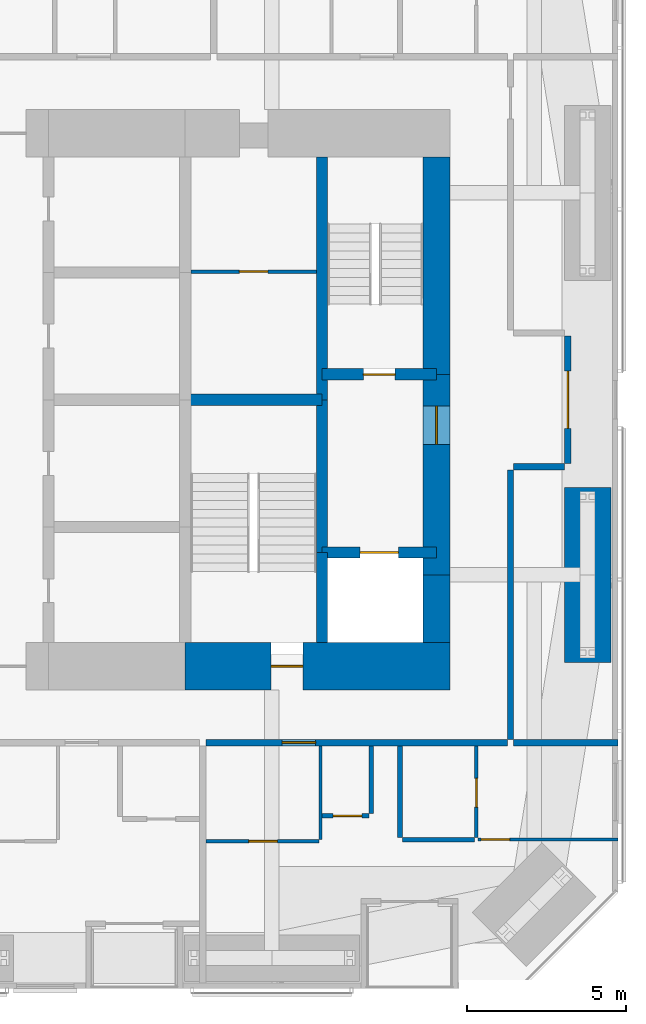
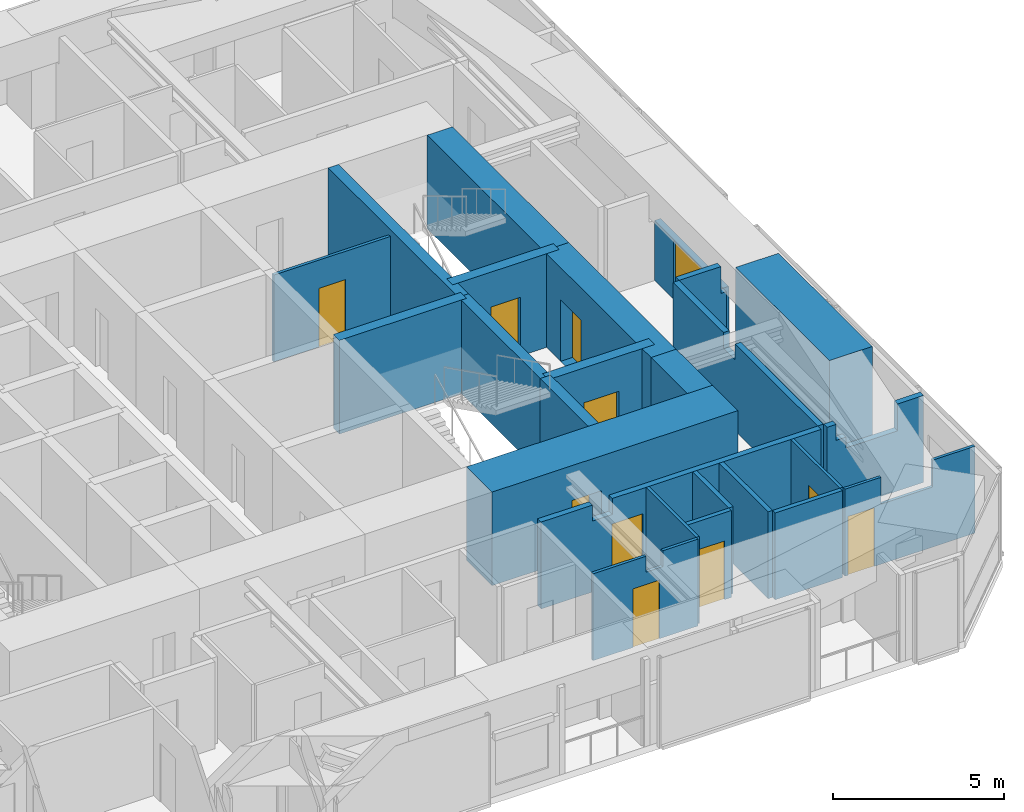
# One storey, part 21 of 25: 25 walls, 11 doors, 11 openings.
"""IFC4 building model written with IfcOpenShell, lengths in metres."""

from ifc_helpers import new_model, si_unit, direction, frame, frame_2d, origin, place, context, subcontext, project, spatial, polyline, rectangle, outline, extrude, material, layer, layer_set, constituent, constituent_set, type_object, element, fill, save


model = new_model("IFC4")

# Units and contexts
model_context = context("Model", 3, precision=1e-05, world=origin(), true_north=direction((0.0, 1.0)))
body_context = subcontext(model_context, "Body", "Model", "MODEL_VIEW")
ifc_project = project(units=[si_unit("LENGTHUNIT", "METRE"), si_unit("AREAUNIT", "SQUARE_METRE"), si_unit("VOLUMEUNIT", "CUBIC_METRE"), si_unit("PLANEANGLEUNIT", "RADIAN"), si_unit("MASSUNIT", "GRAM", prefix="KILO")], contexts=[model_context])

# Site, building, storey
site_placement = place(None, origin())
site = spatial("IfcSite", under=ifc_project, at=site_placement, CompositionType="ELEMENT")
building_placement = place(site_placement, origin())
building = spatial("IfcBuilding", under=site, at=building_placement, Name="Jalousie Tower", CompositionType="ELEMENT")
storey_placement = place(building_placement, frame((0.0, 0.0, 101.5)))
storey = spatial("IfcBuildingStorey", under=building, at=storey_placement, Name="L27", CompositionType="ELEMENT", Elevation=101.5)

# Walls
ifc_material_1 = material(Name="Concrete block ASTM C90", Category="concrete")
ifc_constituent_1 = constituent(ifc_material_1, Name="Body")
ifc_material_2 = material(Name="Render")
ifc_constituent_2 = constituent(ifc_material_2, Name="Finish")
ifc_constituent_set_1 = constituent_set(constituents=[ifc_constituent_1, ifc_constituent_2])
wall_type_1 = type_object("IfcWallType", Name="BATHROOM WALL 150", PredefinedType="PLUMBINGWALL", material=ifc_constituent_set_1)
wall_1_placement = place(storey_placement, frame((42.72509765625, 4.67578125, 0.0), z_axis=(0.0, 0.0, 1.0), x_axis=(1.0, 0.0, 0.0)))
element("IfcWall", 1, at=wall_1_placement, inside=storey, type_object=wall_type_1, Name="Bathroom Wall 150 L27", PredefinedType="PLUMBINGWALL", context=body_context, shape_type="SweptSolid", body=[
    extrude(rectangle(XDim=2.27490234375, YDim=0.14990234375, at=frame_2d((1.137451171875, 0.0))), origin(), (0.0, 0.0, 1.0), 3.110107421875),
])
wall_2_placement = place(storey_placement, frame((42.64990234375, 4.7509765625, 0.0), z_axis=(0.0, 0.0, 1.0), x_axis=(0.0, 1.0, 0.0)))
element("IfcWall", 2, at=wall_2_placement, inside=storey, type_object=wall_type_1, Name="Bathroom Wall 150 L27", PredefinedType="PLUMBINGWALL", context=body_context, shape_type="SweptSolid", body=[
    extrude(rectangle(XDim=2.8740234375, YDim=0.14990234375, at=frame_2d((1.43701171875, 0.0))), origin(), (0.0, 0.0, 1.0), 3.110107421875),
])

# Wall, opening, door
wall_3_placement = place(storey_placement, frame((40.199951171875, 5.425048828125, 0.0), z_axis=(0.0, 0.0, 1.0), x_axis=(1.0, 0.0, 0.0)))
wall_3 = element("IfcWall", 3, at=wall_3_placement, inside=storey, type_object=wall_type_1, Name="Bathroom Wall 150 L27", PredefinedType="PLUMBINGWALL", context=body_context, shape_type="SweptSolid", body=[
    extrude(rectangle(XDim=1.47509765625, YDim=0.14990234375, at=frame_2d((0.737548828125, 0.0))), origin(), (0.0, 0.0, 1.0), 3.110107421875),
])
opening_1_placement = place(wall_3_placement, frame((0.35009765625, 0.0, 0.0)))
opening_1 = element("IfcOpeningElement", 4, at=opening_1_placement, cuts=wall_3, Name="Opening D7", PredefinedType="OPENING", context=body_context, shape_type="SweptSolid", body=[
    extrude(rectangle(XDim=0.89990234375, YDim=2.10009765625, at=frame_2d((0.449951171875, 1.050048828125))), frame((0.0, 0.0849609375, 0.0), z_axis=(0.0, -1.0, 0.0), x_axis=(1.0, 0.0, 0.0)), (0.0, 0.0, 1.0), 0.169921875),
])
ifc_material_3 = material(Name="Timber door", Category="wood")
door_type_1 = type_object("IfcDoorType", Name="INTERNAL DOOR 900", OperationType="SINGLE_SWING_LEFT", PredefinedType="DOOR", material=ifc_material_3)
door_1_placement = place(opening_1_placement, origin())
door_1 = element("IfcDoor", 5, at=door_1_placement, inside=storey, type_object=door_type_1, Name="Apartment 2703 guest WC door", OperationType="SINGLE_SWING_RIGHT", OverallHeight=2.10009765625, OverallWidth=0.89990234375, PredefinedType="DOOR", context=body_context, shape_type="SweptSolid", body=[
    extrude(rectangle(XDim=0.89990234375, YDim=2.10009765625, at=frame_2d((0.449951171875, 1.050048828125))), frame((0.0, 0.02490234375, 0.0), z_axis=(0.0, -1.0, 0.0), x_axis=(1.0, 0.0, 0.0)), (0.0, 0.0, 1.0), 0.050048828125),
])
fill(opening_1, door_1)

# Wall
wall_4_placement = place(storey_placement, frame((41.75, 5.5, 0.0), z_axis=(0.0, 0.0, 1.0), x_axis=(0.0, 1.0, 0.0)))
element("IfcWall", 6, at=wall_4_placement, inside=storey, type_object=wall_type_1, Name="Bathroom Wall 150 L27", PredefinedType="PLUMBINGWALL", context=body_context, shape_type="SweptSolid", body=[
    extrude(rectangle(XDim=2.125, YDim=0.14990234375, at=frame_2d((1.0625, 0.0))), origin(), (0.0, 0.0, 1.0), 3.110107421875),
])

# Wall, opening, door
ifc_material_4 = material(Name="Concrete f'c 120 MPa", Category="concrete")
ifc_layer_1 = layer(ifc_material_4, 1.5)
ifc_layer_set_1 = layer_set([ifc_layer_1], Name="Concrete f'c 120 MPa")
wall_type_2 = type_object("IfcWallType", Name="CORE WALL 1500", PredefinedType="SHEAR", material=ifc_layer_set_1)
wall_5_placement = place(storey_placement, frame((35.89990234375, 10.125, 0.0), z_axis=(0.0, 0.0, 1.0), x_axis=(1.0, 0.0, 0.0)))
wall_5 = element("IfcWall", 7, at=wall_5_placement, inside=storey, type_object=wall_type_2, Name="Core wall SD L27", PredefinedType="SHEAR", context=body_context, shape_type="SweptSolid", body=[
    extrude(rectangle(XDim=8.3251953125, YDim=1.5, at=frame_2d((4.16259765625, 0.0))), origin(), (0.0, 0.0, 1.0), 3.35009765625),
])
opening_2_placement = place(wall_5_placement, frame((2.699951171875, 0.0, 0.0)))
opening_2 = element("IfcOpeningElement", 8, at=opening_2_placement, cuts=wall_5, Name="Opening D10", PredefinedType="OPENING", context=body_context, shape_type="SweptSolid", body=[
    extrude(rectangle(XDim=1.0, YDim=2.10009765625, at=frame_2d((0.5, 1.050048828125))), frame((0.0, 0.760009765625, 0.0), z_axis=(0.0, -1.0, 0.0), x_axis=(1.0, 0.0, 0.0)), (0.0, 0.0, 1.0), 1.52001953125),
])
ifc_material_5 = material(Name="Steel fire door", Category="steel")
door_type_2 = type_object("IfcDoorType", Name="STAIR DOOR 1000", OperationType="SINGLE_SWING_LEFT", PredefinedType="DOOR", material=ifc_material_5)
door_2_placement = place(opening_2_placement, origin())
door_2 = element("IfcDoor", 9, at=door_2_placement, inside=storey, type_object=door_type_2, Name="Exit stair C door", OperationType="SINGLE_SWING_RIGHT", OverallHeight=2.10009765625, OverallWidth=1.0, PredefinedType="DOOR", context=body_context, shape_type="SweptSolid", body=[
    extrude(rectangle(XDim=1.0, YDim=2.10009765625, at=frame_2d((0.5, 1.050048828125))), frame((0.0, 0.02490234375, 0.0), z_axis=(0.0, -1.0, 0.0), x_axis=(1.0, 0.0, 0.0)), (0.0, 0.0, 1.0), 0.050048828125),
])
fill(opening_2, door_2)

# Walls
ifc_material_6 = material(Name="Concrete f'c 120 MPa", Category="concrete")
ifc_layer_2 = layer(ifc_material_6, 0.35009765625)
ifc_layer_set_2 = layer_set([ifc_layer_2], Name="Concrete f'c 120 MPa")
wall_type_3 = type_object("IfcWallType", Name="CORE WALL 350", PredefinedType="SHEAR", material=ifc_layer_set_2)
wall_6_placement = place(storey_placement, frame((40.199951171875, 10.875, 0.0), z_axis=(0.0, 0.0, 1.0), x_axis=(0.0, 1.0, 0.0)))
element("IfcWall", 10, at=wall_6_placement, inside=storey, type_object=wall_type_3, Name="Core wall X40.2A L27", PredefinedType="SHEAR", context=body_context, shape_type="SweptSolid", body=[
    extrude(rectangle(XDim=2.824951171875, YDim=0.35009765625, at=frame_2d((1.41259765625, 0.0))), origin(), (0.0, 0.0, 1.0), 3.35009765625),
])
wall_7_placement = place(storey_placement, frame((40.199951171875, 13.699951171875, 0.0), z_axis=(0.0, 0.0, 1.0), x_axis=(0.0, 1.0, 0.0)))
element("IfcWall", 11, at=wall_7_placement, inside=storey, type_object=wall_type_3, Name="Core wall X40.2B L27", PredefinedType="SHEAR", context=body_context, shape_type="SweptSolid", body=[
    extrude(rectangle(XDim=4.800048828125, YDim=0.35009765625, at=frame_2d((2.39990234375, 0.0))), origin(), (0.0, 0.0, 1.0), 3.35009765625),
])
wall_8_placement = place(storey_placement, frame((40.199951171875, 18.5, 0.0), z_axis=(0.0, 0.0, 1.0), x_axis=(0.0, 1.0, 0.0)))
element("IfcWall", 12, at=wall_8_placement, inside=storey, type_object=wall_type_3, Name="Core wall X40.2C L27", PredefinedType="SHEAR", context=body_context, shape_type="SweptSolid", body=[
    extrude(rectangle(XDim=7.625, YDim=0.35009765625, at=frame_2d((3.8125, 0.0))), origin(), (0.0, 0.0, 1.0), 3.35009765625),
])
wall_9_placement = place(storey_placement, frame((35.89990234375, 18.5, 0.0), z_axis=(0.0, 0.0, 1.0), x_axis=(1.0, 0.0, 0.0)))
element("IfcWall", 13, at=wall_9_placement, inside=storey, type_object=wall_type_3, Name="Core wall Y35.9-18.5 L27", PredefinedType="SHEAR", context=body_context, shape_type="SweptSolid", body=[
    extrude(rectangle(XDim=4.300048828125, YDim=0.35009765625, at=frame_2d((2.14990234375, 0.0))), origin(), (0.0, 0.0, 1.0), 3.35009765625),
])

# Wall, opening, door
wall_10_placement = place(storey_placement, frame((40.199951171875, 13.699951171875, 0.0), z_axis=(0.0, 0.0, 1.0), x_axis=(1.0, 0.0, 0.0)))
wall_10 = element("IfcWall", 14, at=wall_10_placement, inside=storey, type_object=wall_type_3, Name="Core wall Y40.2-13.7 L27", PredefinedType="SHEAR", context=body_context, shape_type="SweptSolid", body=[
    extrude(rectangle(XDim=3.60009765625, YDim=0.35009765625, at=frame_2d((1.800048828125, 0.0))), origin(), (0.0, 0.0, 1.0), 3.35009765625),
])
opening_3_placement = place(wall_10_placement, frame((1.199951171875, 0.0, 0.0)))
opening_3 = element("IfcOpeningElement", 15, at=opening_3_placement, cuts=wall_10, Name="Opening LD2", PredefinedType="OPENING", context=body_context, shape_type="SweptSolid", body=[
    extrude(rectangle(XDim=1.199951171875, YDim=2.10009765625, at=frame_2d((0.60009765625, 1.050048828125))), frame((0.0, 0.18505859375, 0.0), z_axis=(0.0, -1.0, 0.0), x_axis=(1.0, 0.0, 0.0)), (0.0, 0.0, 1.0), 0.3701171875),
])
ifc_material_7 = material(Name="Steel lift landing door", Category="steel")
door_type_3 = type_object("IfcDoorType", Name="LIFT LANDING DOOR 1200", OperationType="SLIDING_TO_LEFT", PredefinedType="DOOR", material=ifc_material_7)
door_3_placement = place(opening_3_placement, origin())
door_3 = element("IfcDoor", 16, at=door_3_placement, inside=storey, type_object=door_type_3, Name="Lift F2 landing door", OperationType="SLIDING_TO_LEFT", OverallHeight=2.10009765625, OverallWidth=1.199951171875, PredefinedType="DOOR", context=body_context, shape_type="SweptSolid", body=[
    extrude(rectangle(XDim=1.199951171875, YDim=2.10009765625, at=frame_2d((0.60009765625, 1.050048828125))), frame((0.0, 0.02490234375, 0.0), z_axis=(0.0, -1.0, 0.0), x_axis=(1.0, 0.0, 0.0)), (0.0, 0.0, 1.0), 0.050048828125),
])
fill(opening_3, door_3)

wall_11_placement = place(storey_placement, frame((40.199951171875, 19.300048828125, 0.0), z_axis=(0.0, 0.0, 1.0), x_axis=(1.0, 0.0, 0.0)))
wall_11 = element("IfcWall", 17, at=wall_11_placement, inside=storey, type_object=wall_type_3, Name="Core wall Y40.2-19.3 L27", PredefinedType="SHEAR", context=body_context, shape_type="SweptSolid", body=[
    extrude(rectangle(XDim=3.60009765625, YDim=0.35009765625, at=frame_2d((1.800048828125, 0.0))), origin(), (0.0, 0.0, 1.0), 3.35009765625),
])
opening_4_placement = place(wall_11_placement, frame((1.300048828125, 0.0, 0.0)))
opening_4 = element("IfcOpeningElement", 18, at=opening_4_placement, cuts=wall_11, Name="Opening D10", PredefinedType="OPENING", context=body_context, shape_type="SweptSolid", body=[
    extrude(rectangle(XDim=1.0, YDim=2.10009765625, at=frame_2d((0.5, 1.050048828125))), frame((0.0, 0.18505859375, 0.0), z_axis=(0.0, -1.0, 0.0), x_axis=(1.0, 0.0, 0.0)), (0.0, 0.0, 1.0), 0.3701171875),
])
door_4_placement = place(opening_4_placement, origin())
door_4 = element("IfcDoor", 19, at=door_4_placement, inside=storey, type_object=door_type_2, Name="Exit stair B door", OperationType="SINGLE_SWING_RIGHT", OverallHeight=2.10009765625, OverallWidth=1.0, PredefinedType="DOOR", context=body_context, shape_type="SweptSolid", body=[
    extrude(rectangle(XDim=1.0, YDim=2.10009765625, at=frame_2d((0.5, 1.050048828125))), frame((0.0, 0.02490234375, 0.0), z_axis=(0.0, -1.0, 0.0), x_axis=(1.0, 0.0, 0.0)), (0.0, 0.0, 1.0), 0.050048828125),
])
fill(opening_4, door_4)

# Wall
ifc_material_8 = material(Name="Concrete f'c 120 MPa", Category="concrete")
ifc_layer_3 = layer(ifc_material_8, 0.85009765625)
ifc_layer_set_3 = layer_set([ifc_layer_3], Name="Concrete f'c 120 MPa")
wall_type_4 = type_object("IfcWallType", Name="CORE WALL 850", PredefinedType="SHEAR", material=ifc_layer_set_3)
wall_12_placement = place(storey_placement, frame((43.800048828125, 10.875, 0.0), z_axis=(0.0, 0.0, 1.0), x_axis=(0.0, 1.0, 0.0)))
element("IfcWall", 20, at=wall_12_placement, inside=storey, type_object=wall_type_4, Name="Core wall EA L27", PredefinedType="SHEAR", context=body_context, shape_type="SweptSolid", body=[
    extrude(rectangle(XDim=2.125, YDim=0.85009765625, at=frame_2d((1.0625, 0.0))), origin(), (0.0, 0.0, 1.0), 3.35009765625),
])

# Wall, opening, door
wall_13_placement = place(storey_placement, frame((43.800048828125, 13.0, 0.0), z_axis=(0.0, 0.0, 1.0), x_axis=(0.0, 1.0, 0.0)))
wall_13 = element("IfcWall", 21, at=wall_13_placement, inside=storey, type_object=wall_type_4, Name="Core wall EB L27", PredefinedType="SHEAR", context=body_context, shape_type="SweptSolid", body=[
    extrude(rectangle(XDim=6.300048828125, YDim=0.85009765625, at=frame_2d((3.14990234375, 0.0))), origin(), (0.0, 0.0, 1.0), 3.35009765625),
])
opening_5_placement = place(wall_13_placement, frame((4.10009765625, 0.0, 0.0)))
opening_5 = element("IfcOpeningElement", 22, at=opening_5_placement, cuts=wall_13, Name="Opening D11", PredefinedType="OPENING", context=body_context, shape_type="SweptSolid", body=[
    extrude(rectangle(XDim=1.199951171875, YDim=2.199951171875, at=frame_2d((0.60009765625, 1.10009765625))), frame((0.0, 0.43505859375, 0.0), z_axis=(0.0, -1.0, 0.0), x_axis=(1.0, 0.0, 0.0)), (0.0, 0.0, 1.0), 0.8701171875),
])
ifc_material_9 = material(Name="Steel fire door", Category="steel")
door_type_4 = type_object("IfcDoorType", Name="FIRE DOOR 1200", OperationType="SINGLE_SWING_LEFT", PredefinedType="DOOR", material=ifc_material_9)
door_5_placement = place(opening_5_placement, origin())
door_5 = element("IfcDoor", 23, at=door_5_placement, inside=storey, type_object=door_type_4, Name="Fire-fighting lobby B door", OperationType="SINGLE_SWING_RIGHT", OverallHeight=2.199951171875, OverallWidth=1.199951171875, PredefinedType="DOOR", context=body_context, shape_type="SweptSolid", body=[
    extrude(rectangle(XDim=1.199951171875, YDim=2.199951171875, at=frame_2d((0.60009765625, 1.10009765625))), frame((0.0, 0.02490234375, 0.0), z_axis=(0.0, -1.0, 0.0), x_axis=(1.0, 0.0, 0.0)), (0.0, 0.0, 1.0), 0.050048828125),
])
fill(opening_5, door_5)

# Wall
wall_14_placement = place(storey_placement, frame((43.800048828125, 19.300048828125, 0.0), z_axis=(0.0, 0.0, 1.0), x_axis=(0.0, 1.0, 0.0)))
element("IfcWall", 24, at=wall_14_placement, inside=storey, type_object=wall_type_4, Name="Core wall EC L27", PredefinedType="SHEAR", context=body_context, shape_type="SweptSolid", body=[
    extrude(rectangle(XDim=6.824951171875, YDim=0.85009765625, at=frame_2d((3.41259765625, 0.0))), origin(), (0.0, 0.0, 1.0), 3.35009765625),
])

# Wall, opening, door
ifc_material_10 = material(Name="Concrete block ASTM C90", Category="concrete")
ifc_constituent_3 = constituent(ifc_material_10, Name="Body")
ifc_material_11 = material(Name="Render")
ifc_constituent_4 = constituent(ifc_material_11, Name="Finish")
ifc_constituent_set_2 = constituent_set(constituents=[ifc_constituent_3, ifc_constituent_4])
wall_type_5 = type_object("IfcWallType", Name="CORRIDOR WALL 200", PredefinedType="PARTITIONING", material=ifc_constituent_set_2)
wall_15_placement = place(storey_placement, frame((36.550048828125, 7.72509765625, 0.0), z_axis=(0.0, 0.0, 1.0), x_axis=(1.0, 0.0, 0.0)))
wall_15 = element("IfcWall", 25, at=wall_15_placement, inside=storey, type_object=wall_type_5, Name="Corridor Wall 200 L27", PredefinedType="PARTITIONING", context=body_context, shape_type="SweptSolid", body=[
    extrude(outline(polyline([(0.0, 0.0), (9.474853515625, 0.0), (9.47509765625, 3.110107421875), (2.412353515625, 3.110107421875), (2.412353515625, 2.541015625), (1.737548828125, 2.541015625), (1.737548828125, 3.110107421875), (0.0, 3.110107421875), (0.0, 0.0)])), frame((0.0, 0.10009765625, 0.0), z_axis=(0.0, -1.0, 0.0), x_axis=(1.0, 0.0, 0.0)), (0.0, 0.0, 1.0), 0.199951171875),
])
opening_6_placement = place(wall_15_placement, frame((2.39990234375, 0.0, 0.0)))
opening_6 = element("IfcOpeningElement", 26, at=opening_6_placement, cuts=wall_15, Name="Opening D1", PredefinedType="OPENING", context=body_context, shape_type="SweptSolid", body=[
    extrude(rectangle(XDim=1.050048828125, YDim=2.199951171875, at=frame_2d((0.52490234375, 1.10009765625))), frame((0.0, 0.10986328125, 0.0), z_axis=(0.0, -1.0, 0.0), x_axis=(1.0, 0.0, 0.0)), (0.0, 0.0, 1.0), 0.219970703125),
])
ifc_material_12 = material(Name="Timber fire door", Category="wood")
door_type_5 = type_object("IfcDoorType", Name="APARTMENT ENTRANCE DOOR 1050", OperationType="SINGLE_SWING_LEFT", PredefinedType="DOOR", material=ifc_material_12)
door_6_placement = place(opening_6_placement, frame((1.050048828125, 0.0, 0.0), z_axis=(0.0, 0.0, 1.0), x_axis=(-1.0, 0.0, 0.0)))
door_6 = element("IfcDoor", 27, at=door_6_placement, inside=storey, type_object=door_type_5, Name="Apartment 2703 entrance", OperationType="SINGLE_SWING_LEFT", OverallHeight=2.199951171875, OverallWidth=1.050048828125, PredefinedType="DOOR", context=body_context, shape_type="SweptSolid", body=[
    extrude(rectangle(XDim=1.050048828125, YDim=2.199951171875, at=frame_2d((0.52490234375, 1.10009765625))), frame((0.0, 0.02490234375, 0.0), z_axis=(0.0, -1.0, 0.0), x_axis=(1.0, 0.0, 0.0)), (0.0, 0.0, 1.0), 0.050048828125),
])
fill(opening_6, door_6)

# Wall
wall_16_placement = place(storey_placement, frame((46.125, 7.824951171875, 0.0), z_axis=(0.0, 0.0, 1.0), x_axis=(0.0, 1.0, 0.0)))
element("IfcWall", 28, at=wall_16_placement, inside=storey, type_object=wall_type_5, Name="Corridor Wall 200 L27", PredefinedType="PARTITIONING", context=body_context, shape_type="SweptSolid", body=[
    extrude(outline(polyline([(0.0, 0.0), (8.47509765625, 0.0), (8.47509765625, 3.110107421875), (5.51220703125, 3.110107421875), (5.51220703125, 2.541015625), (4.837646484375, 2.541015625), (4.837646484375, 3.110107421875), (0.0, 3.110107421875), (0.0, 0.0)])), frame((0.0, 0.10009765625, 0.0), z_axis=(0.0, -1.0, 0.0), x_axis=(1.0, 0.0, 0.0)), (0.0, 0.0, 1.0), 0.199951171875),
])

# Wall, opening, door
wall_17_placement = place(storey_placement, frame((47.925048828125, 16.5, 0.0), z_axis=(0.0, 0.0, 1.0), x_axis=(0.0, 1.0, 0.0)))
wall_17 = element("IfcWall", 29, at=wall_17_placement, inside=storey, type_object=wall_type_5, Name="Corridor Wall 200 L27", PredefinedType="PARTITIONING", context=body_context, shape_type="SweptSolid", body=[
    extrude(outline(polyline([(0.0, 0.0), (4.0, 0.0), (4.0, 3.110107421875), (4.0, 2.14990234375), (0.0, 2.14990234375), (0.0, 3.110107421875), (0.0, 0.0)])), frame((0.0, 0.10009765625, 0.0), z_axis=(0.0, -1.0, 0.0), x_axis=(1.0, 0.0, 0.0)), (0.0, 0.0, 1.0), 0.199951171875),
])
opening_7_placement = place(wall_17_placement, frame((1.10009765625, 0.0, 0.0)))
opening_7 = element("IfcOpeningElement", 30, at=opening_7_placement, cuts=wall_17, Name="Opening D22", PredefinedType="OPENING", context=body_context, shape_type="SweptSolid", body=[
    extrude(rectangle(XDim=1.800048828125, YDim=2.10009765625, at=frame_2d((0.89990234375, 1.050048828125))), frame((0.0, 0.10986328125, 0.0), z_axis=(0.0, -1.0, 0.0), x_axis=(1.0, 0.0, 0.0)), (0.0, 0.0, 1.0), 0.219970703125),
])
ifc_material_13 = material(Name="Timber fire door", Category="wood")
door_type_6 = type_object("IfcDoorType", Name="CORRIDOR DOUBLE DOOR 1800", OperationType="DOUBLE_DOOR_SINGLE_SWING", PredefinedType="DOOR", material=ifc_material_13)
door_7_placement = place(opening_7_placement, frame((1.800048828125, 0.0, 0.0), z_axis=(0.0, 0.0, 1.0), x_axis=(-1.0, 0.0, 0.0)))
door_7 = element("IfcDoor", 31, at=door_7_placement, inside=storey, type_object=door_type_6, Name="Lounge door", OperationType="DOUBLE_DOOR_SINGLE_SWING", OverallHeight=2.10009765625, OverallWidth=1.800048828125, PredefinedType="DOOR", context=body_context, shape_type="SweptSolid", body=[
    extrude(rectangle(XDim=1.800048828125, YDim=2.10009765625, at=frame_2d((0.89990234375, 1.050048828125))), frame((0.0, 0.02490234375, 0.0), z_axis=(0.0, -1.0, 0.0), x_axis=(1.0, 0.0, 0.0)), (0.0, 0.0, 1.0), 0.050048828125),
])
fill(opening_7, door_7)

# Wall
wall_18_placement = place(storey_placement, frame((46.22509765625, 16.39990234375, 0.0), z_axis=(0.0, 0.0, 1.0), x_axis=(1.0, 0.0, 0.0)))
element("IfcWall", 32, at=wall_18_placement, inside=storey, type_object=wall_type_5, Name="Corridor Wall 200 L27", PredefinedType="PARTITIONING", context=body_context, shape_type="SweptSolid", body=[
    extrude(outline(polyline([(0.0, 0.0), (1.599853515625, 0.0), (1.60009765625, 3.110107421875), (1.60009765625, 2.14990234375), (1.4150390625, 2.14990234375), (1.4150390625, 3.110107421875), (0.0, 3.110107421875), (0.0, 0.0)])), frame((0.0, 0.10009765625, 0.0), z_axis=(0.0, -1.0, 0.0), x_axis=(1.0, 0.0, 0.0)), (0.0, 0.0, 1.0), 0.199951171875),
])

# Wall, opening, door
ifc_material_14 = material(Name="Gypsum board", Category="gypsum")
ifc_constituent_5 = constituent(ifc_material_14, Name="Body")
ifc_material_15 = material(Name="Light-gauge steel studs ASTM A653 SS Grade 33", Category="steel")
ifc_constituent_6 = constituent(ifc_material_15, Name="Framing")
ifc_constituent_set_3 = constituent_set(constituents=[ifc_constituent_5, ifc_constituent_6])
wall_type_6 = type_object("IfcWallType", Name="PARTITION 100", PredefinedType="PARTITIONING", material=ifc_constituent_set_3)
wall_19_placement = place(storey_placement, frame((45.050048828125, 4.7509765625, 0.0), z_axis=(0.0, 0.0, 1.0), x_axis=(0.0, 1.0, 0.0)))
wall_19 = element("IfcWall", 33, at=wall_19_placement, inside=storey, type_object=wall_type_6, Name="Partition 100 L27", PredefinedType="PARTITIONING", context=body_context, shape_type="SweptSolid", body=[
    extrude(rectangle(XDim=2.8740234375, YDim=0.10009765625, at=frame_2d((1.43701171875, 0.0))), origin(), (0.0, 0.0, 1.0), 3.110107421875),
])
opening_8_placement = place(wall_19_placement, frame((0.949462890625, 0.0, 0.0)))
opening_8 = element("IfcOpeningElement", 34, at=opening_8_placement, cuts=wall_19, Name="Opening D3", PredefinedType="OPENING", context=body_context, shape_type="SweptSolid", body=[
    extrude(rectangle(XDim=0.89990234375, YDim=2.10009765625, at=frame_2d((0.449951171875, 1.050048828125))), frame((0.0, 0.06005859375, 0.0), z_axis=(0.0, -1.0, 0.0), x_axis=(1.0, 0.0, 0.0)), (0.0, 0.0, 1.0), 0.1201171875),
])
ifc_material_16 = material(Name="Timber door", Category="wood")
door_type_7 = type_object("IfcDoorType", Name="BATHROOM DOOR 900", OperationType="SINGLE_SWING_LEFT", PredefinedType="DOOR", material=ifc_material_16)
door_8_placement = place(opening_8_placement, origin())
door_8 = element("IfcDoor", 35, at=door_8_placement, inside=storey, type_object=door_type_7, Name="Apartment 2703 bedroom 1 bathroom door", OperationType="SINGLE_SWING_LEFT", OverallHeight=2.10009765625, OverallWidth=0.89990234375, PredefinedType="DOOR", context=body_context, shape_type="SweptSolid", body=[
    extrude(rectangle(XDim=0.89990234375, YDim=2.10009765625, at=frame_2d((0.449951171875, 1.050048828125))), frame((0.0, 0.02490234375, 0.0), z_axis=(0.0, -1.0, 0.0), x_axis=(1.0, 0.0, 0.0)), (0.0, 0.0, 1.0), 0.050048828125),
])
fill(opening_8, door_8)

wall_20_placement = place(storey_placement, frame((45.10009765625, 4.67578125, 0.0), z_axis=(0.0, 0.0, 1.0), x_axis=(1.0, 0.0, 0.0)))
wall_20 = element("IfcWall", 36, at=wall_20_placement, inside=storey, type_object=wall_type_6, Name="Partition 100 L27", PredefinedType="PARTITIONING", context=body_context, shape_type="SweptSolid", body=[
    extrude(outline(polyline([(0.0, 0.0), (4.39990234375, 0.0), (4.39990234375, 3.110107421875), (2.971435546875, 3.110107421875), (2.971435546875, 2.14990234375), (1.22900390625, 2.14990234375), (1.22900390625, 3.110107421875), (0.0, 3.110107421875), (0.0, 0.0)])), frame((0.0, 0.050048828125, 0.0), z_axis=(0.0, -1.0, 0.0), x_axis=(1.0, 0.0, 0.0)), (0.0, 0.0, 1.0), 0.10009765625),
])
opening_9_placement = place(wall_20_placement, frame((0.10009765625, 0.0, 0.0)))
opening_9 = element("IfcOpeningElement", 37, at=opening_9_placement, cuts=wall_20, Name="Opening D2", PredefinedType="OPENING", context=body_context, shape_type="SweptSolid", body=[
    extrude(rectangle(XDim=0.89990234375, YDim=2.10009765625, at=frame_2d((0.449951171875, 1.050048828125))), frame((0.0, 0.06005859375, 0.0), z_axis=(0.0, -1.0, 0.0), x_axis=(1.0, 0.0, 0.0)), (0.0, 0.0, 1.0), 0.1201171875),
])
ifc_material_17 = material(Name="Timber door", Category="wood")
door_type_8 = type_object("IfcDoorType", Name="BEDROOM DOOR 900", OperationType="SINGLE_SWING_LEFT", PredefinedType="DOOR", material=ifc_material_17)
door_9_placement = place(opening_9_placement, origin())
door_9 = element("IfcDoor", 38, at=door_9_placement, inside=storey, type_object=door_type_8, Name="Apartment 2703 bedroom 1 door", OperationType="SINGLE_SWING_LEFT", OverallHeight=2.10009765625, OverallWidth=0.89990234375, PredefinedType="DOOR", context=body_context, shape_type="SweptSolid", body=[
    extrude(rectangle(XDim=0.89990234375, YDim=2.10009765625, at=frame_2d((0.449951171875, 1.050048828125))), frame((0.0, 0.02490234375, 0.0), z_axis=(0.0, -1.0, 0.0), x_axis=(1.0, 0.0, 0.0)), (0.0, 0.0, 1.0), 0.050048828125),
])
fill(opening_9, door_9)

wall_21_placement = place(storey_placement, frame((36.550048828125, 4.625, 0.0), z_axis=(0.0, 0.0, 1.0), x_axis=(1.0, 0.0, 0.0)))
wall_21 = element("IfcWall", 39, at=wall_21_placement, inside=storey, type_object=wall_type_6, Name="Partition 100 L27", PredefinedType="PARTITIONING", context=body_context, shape_type="SweptSolid", body=[
    extrude(outline(polyline([(0.0, 0.0), (3.550048828125, 0.0), (3.550048828125, 3.110107421875), (2.3623046875, 3.110107421875), (2.3623046875, 2.541015625), (1.78759765625, 2.541015625), (1.78759765625, 3.110107421875), (0.0, 3.110107421875), (0.0, 0.0)])), frame((0.0, 0.050048828125, 0.0), z_axis=(0.0, -1.0, 0.0), x_axis=(1.0, 0.0, 0.0)), (0.0, 0.0, 1.0), 0.10009765625),
])
opening_10_placement = place(wall_21_placement, frame((1.35009765625, 0.0, 0.0)))
opening_10 = element("IfcOpeningElement", 40, at=opening_10_placement, cuts=wall_21, Name="Opening D7", PredefinedType="OPENING", context=body_context, shape_type="SweptSolid", body=[
    extrude(rectangle(XDim=0.89990234375, YDim=2.10009765625, at=frame_2d((0.449951171875, 1.050048828125))), frame((0.0, 0.06005859375, 0.0), z_axis=(0.0, -1.0, 0.0), x_axis=(1.0, 0.0, 0.0)), (0.0, 0.0, 1.0), 0.1201171875),
])
door_10_placement = place(opening_10_placement, frame((0.89990234375, 0.0, 0.0), z_axis=(0.0, 0.0, 1.0), x_axis=(-1.0, 0.0, 0.0)))
door_10 = element("IfcDoor", 41, at=door_10_placement, inside=storey, type_object=door_type_1, Name="Apartment 2703 kitchen door", OperationType="SINGLE_SWING_RIGHT", OverallHeight=2.10009765625, OverallWidth=0.89990234375, PredefinedType="DOOR", context=body_context, shape_type="SweptSolid", body=[
    extrude(rectangle(XDim=0.89990234375, YDim=2.10009765625, at=frame_2d((0.449951171875, 1.050048828125))), frame((0.0, 0.02490234375, 0.0), z_axis=(0.0, -1.0, 0.0), x_axis=(1.0, 0.0, 0.0)), (0.0, 0.0, 1.0), 0.050048828125),
])
fill(opening_10, door_10)

# Wall
wall_22_placement = place(storey_placement, frame((40.14990234375, 4.675048828125, 0.0), z_axis=(0.0, 0.0, 1.0), x_axis=(0.0, 1.0, 0.0)))
element("IfcWall", 42, at=wall_22_placement, inside=storey, type_object=wall_type_6, Name="Partition 100 L27", PredefinedType="PARTITIONING", context=body_context, shape_type="SweptSolid", body=[
    extrude(rectangle(XDim=2.949951171875, YDim=0.10009765625, at=frame_2d((1.47509765625, 0.0))), origin(), (0.0, 0.0, 1.0), 3.110107421875),
])

# Wall, opening, door
wall_23_placement = place(storey_placement, frame((36.074951171875, 22.52490234375, 0.0), z_axis=(0.0, 0.0, 1.0), x_axis=(1.0, 0.0, 0.0)))
wall_23 = element("IfcWall", 43, at=wall_23_placement, inside=storey, type_object=wall_type_6, Name="Partition 100 L27", PredefinedType="PARTITIONING", context=body_context, shape_type="SweptSolid", body=[
    extrude(rectangle(XDim=3.949951171875, YDim=0.10009765625, at=frame_2d((1.97509765625, 0.0))), origin(), (0.0, 0.0, 1.0), 3.110107421875),
])
opening_11_placement = place(wall_23_placement, frame((1.52490234375, 0.0, 0.0)))
opening_11 = element("IfcOpeningElement", 44, at=opening_11_placement, cuts=wall_23, Name="Opening D7", PredefinedType="OPENING", context=body_context, shape_type="SweptSolid", body=[
    extrude(rectangle(XDim=0.89990234375, YDim=2.10009765625, at=frame_2d((0.449951171875, 1.050048828125))), frame((0.0, 0.06005859375, 0.0), z_axis=(0.0, -1.0, 0.0), x_axis=(1.0, 0.0, 0.0)), (0.0, 0.0, 1.0), 0.1201171875),
])
door_11_placement = place(opening_11_placement, origin())
door_11 = element("IfcDoor", 45, at=door_11_placement, inside=storey, type_object=door_type_1, Name="Linen store door", OperationType="SINGLE_SWING_RIGHT", OverallHeight=2.10009765625, OverallWidth=0.89990234375, PredefinedType="DOOR", context=body_context, shape_type="SweptSolid", body=[
    extrude(rectangle(XDim=0.89990234375, YDim=2.10009765625, at=frame_2d((0.449951171875, 1.050048828125))), frame((0.0, 0.02490234375, 0.0), z_axis=(0.0, -1.0, 0.0), x_axis=(1.0, 0.0, 0.0)), (0.0, 0.0, 1.0), 0.050048828125),
])
fill(opening_11, door_11)

# Walls
ifc_material_18 = material(Name="Concrete block ASTM C90", Category="concrete")
ifc_constituent_7 = constituent(ifc_material_18, Name="Body")
ifc_material_19 = material(Name="Render")
ifc_constituent_8 = constituent(ifc_material_19, Name="Finish")
ifc_constituent_set_4 = constituent_set(constituents=[ifc_constituent_7, ifc_constituent_8])
wall_type_7 = type_object("IfcWallType", Name="PARTY WALL 200", PredefinedType="PARTITIONING", material=ifc_constituent_set_4)
wall_24_placement = place(storey_placement, frame((46.22509765625, 7.72509765625, 0.0), z_axis=(0.0, 0.0, 1.0), x_axis=(1.0, 0.0, 0.0)))
element("IfcWall", 46, at=wall_24_placement, inside=storey, type_object=wall_type_7, Name="Party Wall 200 L27", PredefinedType="PARTITIONING", context=body_context, shape_type="SweptSolid", body=[
    extrude(outline(polyline([(0.0, 0.0), (3.27490234375, 0.0), (3.27490234375, 3.110107421875), (2.3916015625, 3.110107421875), (2.3916015625, 2.14990234375), (0.642822265625, 2.14990234375), (0.642822265625, 2.541015625), (0.30615234375, 2.541015625), (0.30615234375, 3.110107421875), (0.0, 3.110107421875), (0.0, 0.0)])), frame((0.0, 0.10009765625, 0.0), z_axis=(0.0, -1.0, 0.0), x_axis=(1.0, 0.0, 0.0)), (0.0, 0.0, 1.0), 0.199951171875),
])
ifc_material_20 = material(Name="Concrete f'c 120 MPa", Category="concrete")
ifc_layer_4 = layer(ifc_material_20, 1.449951171875)
ifc_layer_set_4 = layer_set([ifc_layer_4], Name="Concrete f'c 120 MPa")
wall_type_8 = type_object("IfcWallType", Name="RC WALL PIER 1450", PredefinedType="SHEAR", material=ifc_layer_set_4)
wall_25_placement = place(storey_placement, frame((48.550048828125, 10.25, 0.0), z_axis=(0.0, 0.0, 1.0), x_axis=(0.0, 1.0, 0.0)))
element("IfcWall", 47, at=wall_25_placement, inside=storey, type_object=wall_type_8, Name="Wall pier 06 L27", PredefinedType="SHEAR", context=body_context, shape_type="SweptSolid", body=[
    extrude(rectangle(XDim=5.5, YDim=1.449951171875, at=frame_2d((2.75, 0.0))), origin(), (0.0, 0.0, 1.0), 3.35009765625),
])

save(model, "model.ifc")
